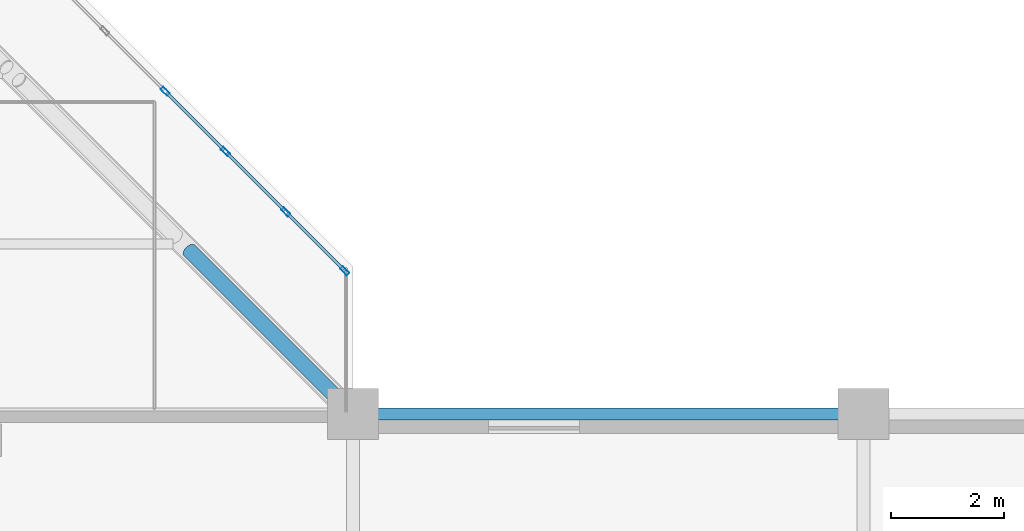
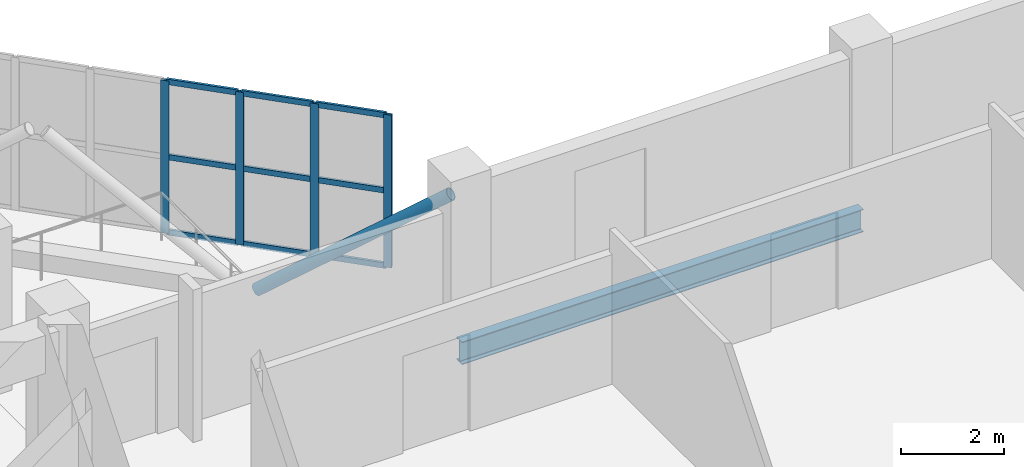
# One storey, part 2 of 9: 14 members, 1 beam, 1 element without a shape of its own.
"""IFC4 building model written with IfcOpenShell, lengths in metres."""

import ifcopenshell
import ifcopenshell.guid

model = None  # the IFC model being written
_history = None  # IfcOwnerHistory: only IFC2X3 demands one
_inside = {}  # id of a spatial element -> (the spatial element, [elements in it])
_under = {}  # id of a project, library or spatial element -> (it, [spatial elements below it])
_declared = {}  # id of a project -> (the project, [libraries it declares])
_typed = {}  # id of a type object -> (the type object, [elements of that type])
_made_of = {}  # id of a material, layer set ... -> (it, [elements and type objects made of it])


def new_model(schema):
    """Start an empty IFC model of exactly this schema.

    Asked for "IFC4X3", IfcOpenShell would pick the latest addendum, in which some entities
    have other attributes; the version numbers below select the first issue.
    IFC2X3 requires an IfcOwnerHistory on every rooted entity: one is made here for all.
    """
    global model, _history
    if schema == "IFC4X3":
        model = ifcopenshell.file(schema_version=(4, 3, 0, 0))
    else:
        model = ifcopenshell.file(schema=schema)
    _inside.clear()
    _under.clear()
    _declared.clear()
    _typed.clear()
    _made_of.clear()
    _history = None
    if model.schema == "IFC2X3":
        org = make("IfcOrganization", Name="unknown")
        user = make(
            "IfcPersonAndOrganization",
            ThePerson=make("IfcPerson", FamilyName="unknown"),
            TheOrganization=org,
        )
        app = make(
            "IfcApplication",
            ApplicationDeveloper=org,
            Version="unknown",
            ApplicationFullName="unknown",
            ApplicationIdentifier="unknown",
        )
        _history = make(
            "IfcOwnerHistory",
            OwningUser=user,
            OwningApplication=app,
            ChangeAction="ADDED",
            CreationDate=0,
        )
    return model


def make(cls, **values):
    """One entity of the class cls with the attributes given. An attribute that is None is left unset."""
    return model.create_entity(
        cls, **{name: value for name, value in values.items() if value is not None}
    )


def rooted(cls, **values):
    """An entity with a GlobalId (a new one), such as an element, a storey or a relation."""
    return make(cls, GlobalId=ifcopenshell.guid.new(), OwnerHistory=_history, **values)


def si_unit(unit_type, name, prefix=None):
    """IfcSIUnit, for example si_unit("LENGTHUNIT", "METRE", prefix="MILLI")."""
    return make("IfcSIUnit", UnitType=unit_type, Prefix=prefix, Name=name)


def assignment(units):
    """IfcUnitAssignment: the units of a project."""
    return None if units is None else make("IfcUnitAssignment", Units=units)


def point(xyz):
    """IfcCartesianPoint."""
    return None if xyz is None else make("IfcCartesianPoint", Coordinates=xyz)


def direction(xyz):
    """IfcDirection."""
    return None if xyz is None else make("IfcDirection", DirectionRatios=xyz)


def frame(location, z_axis=None, x_axis=None):
    """IfcAxis2Placement3D, a coordinate frame: its origin and axes. An axis left out is left unset."""
    return make(
        "IfcAxis2Placement3D",
        Location=point(location),
        Axis=direction(z_axis),
        RefDirection=direction(x_axis),
    )


def frame_2d(location, x_axis=None):
    """IfcAxis2Placement2D, a coordinate frame in the plane: its origin and x axis."""
    return make(
        "IfcAxis2Placement2D", Location=point(location), RefDirection=direction(x_axis)
    )


def origin():
    """The frame at (0, 0, 0) with its axes left unset."""
    return frame((0.0, 0.0, 0.0))


def origin_2d():
    """The frame at (0, 0) in the plane with its x axis left unset."""
    return frame_2d((0.0, 0.0))


def place(relative_to, where):
    """IfcLocalPlacement: puts the frame where relative to a parent placement (None: the world)."""
    return make(
        "IfcLocalPlacement", PlacementRelTo=relative_to, RelativePlacement=where
    )


def context(
    kind, dimensions, precision=None, world=None, true_north=None, identifier=None
):
    """IfcGeometricRepresentationContext, for example the 3D "Model" context."""
    return make(
        "IfcGeometricRepresentationContext",
        ContextIdentifier=identifier,
        ContextType=kind,
        CoordinateSpaceDimension=dimensions,
        Precision=precision,
        WorldCoordinateSystem=world,
        TrueNorth=true_north,
    )


def subcontext(parent, identifier, kind, view, scale=None):
    """IfcGeometricRepresentationSubContext, for example "Body" below "Model"."""
    return make(
        "IfcGeometricRepresentationSubContext",
        ContextIdentifier=identifier,
        ContextType=kind,
        ParentContext=parent,
        TargetScale=scale,
        TargetView=view,
    )


def project(units=None, contexts=None):
    """IfcProject with its units and contexts."""
    return rooted(
        "IfcProject",
        Name="project",
        RepresentationContexts=contexts,
        UnitsInContext=assignment(units),
    )


def spatial(cls, under=None, at=None, **own):
    """A site, building, storey or space (cls), placed at a placement, below another one or the project."""
    s = rooted(cls, ObjectPlacement=at, **own)
    if under is not None:
        _under.setdefault(under.id(), (under, []))[1].append(s)
    return s


def profile(cls, at=None, kind="AREA", **sizes):
    """A parametric profile (cls). Its sizes go by their IFC names, for example OverallWidth=200.0."""
    return make(cls, ProfileType=kind, Position=at, **sizes)


def hollow_rectangle(**sizes):
    """IfcRectangleHollowProfileDef."""
    return profile("IfcRectangleHollowProfileDef", **sizes)


def hollow_circle(**sizes):
    """IfcCircleHollowProfileDef."""
    return profile("IfcCircleHollowProfileDef", **sizes)


def i_section(**sizes):
    """IfcIShapeProfileDef."""
    return profile("IfcIShapeProfileDef", **sizes)


def extrude(swept, where, along, depth):
    """IfcExtrudedAreaSolid: the profile swept, set in the frame where, extruded along a direction by depth."""
    return make(
        "IfcExtrudedAreaSolid",
        SweptArea=swept,
        Position=where,
        ExtrudedDirection=direction(along),
        Depth=depth,
    )


def shape(context_of_items, identifier, shape_type, items):
    """IfcShapeRepresentation: the items that make up one representation, for example the "Body"."""
    return make(
        "IfcShapeRepresentation",
        ContextOfItems=context_of_items,
        RepresentationIdentifier=identifier,
        RepresentationType=shape_type,
        Items=items,
    )


def material(Name=None, Category=None):
    """IfcMaterial."""
    return make("IfcMaterial", Name=Name, Category=Category)


def layer(
    of_material, thickness, ventilated=None, Name=None, Category=None, Priority=None
):
    """IfcMaterialLayer: one layer of a wall or slab, of a material (None: an air gap)."""
    return make(
        "IfcMaterialLayer",
        Material=of_material,
        LayerThickness=thickness,
        IsVentilated=ventilated,
        Name=Name,
        Category=Category,
        Priority=Priority,
    )


def layer_set(layers, Name=None):
    """IfcMaterialLayerSet."""
    return make("IfcMaterialLayerSet", MaterialLayers=layers, LayerSetName=Name)


def material_profile(
    of_material, cross_section, Name=None, Category=None, Priority=None
):
    """IfcMaterialProfile: a cross section and its material."""
    return make(
        "IfcMaterialProfile",
        Name=Name,
        Material=of_material,
        Profile=cross_section,
        Priority=Priority,
        Category=Category,
    )


def profile_set(profiles, Name=None, composite=None):
    """IfcMaterialProfileSet."""
    return make(
        "IfcMaterialProfileSet",
        Name=Name,
        MaterialProfiles=profiles,
        CompositeProfile=composite,
    )


def made_of(thing, what):
    """Note that an element or type object is made of a material, layer set ...; save() writes the relation."""
    if what is not None:
        _made_of.setdefault(what.id(), (what, []))[1].append(thing)
    return thing


def type_object(cls, material=None, **own):
    """A type object (cls), such as IfcWallType, which elements share."""
    return made_of(rooted(cls, **own), material)


def element(
    cls,
    number,
    at=None,
    inside=None,
    cuts=None,
    type_object=None,
    material=None,
    context=None,
    identifier="Body",
    shape_type=None,
    held_by="IfcProductDefinitionShape",
    body=None,
    shapes=None,
    **own,
):
    """One element of the class cls, such as IfcWall. Its Tag is "e" and its number.

    at: its placement. inside: the storey or other place that contains it. cuts: it is an
    opening in that element (IfcRelVoidsElement). A single representation is given by context,
    identifier, shape_type and body (its items); several are given by shapes. held_by: the class
    of the entity that holds the representations. save() writes the other relations.
    """
    e = rooted(cls, Tag="e%d" % number, ObjectPlacement=at, **own)
    if body is not None:
        shapes = [shape(context, identifier, shape_type, body)]
    if shapes is not None:
        e.Representation = make(held_by, Representations=shapes)
    if inside is not None:
        _inside.setdefault(inside.id(), (inside, []))[1].append(e)
    if cuts is not None:
        rooted(
            "IfcRelVoidsElement", RelatingBuildingElement=cuts, RelatedOpeningElement=e
        )
    if type_object is not None:
        _typed.setdefault(type_object.id(), (type_object, []))[1].append(e)
    return made_of(e, material)


def aggregate(whole, parts):
    """IfcRelAggregates: a whole, such as a stair, and the parts it consists of."""
    return rooted("IfcRelAggregates", RelatingObject=whole, RelatedObjects=parts)


def save(model, path):
    """Write the relations noted so far, then the file.

    IfcRelAggregates (storeys below a building ...), IfcRelContainedInSpatialStructure (elements
    in a storey), IfcRelDefinesByType, IfcRelAssociatesMaterial and IfcRelDeclares: one each for
    every whole, place, type object, material and project.
    """
    for whole, parts in _under.values():
        aggregate(whole, parts)
    for where, things in _inside.values():
        rooted(
            "IfcRelContainedInSpatialStructure",
            RelatedElements=things,
            RelatingStructure=where,
        )
    for kind, things in _typed.values():
        rooted("IfcRelDefinesByType", RelatedObjects=things, RelatingType=kind)
    for what, things in _made_of.values():
        rooted("IfcRelAssociatesMaterial", RelatedObjects=things, RelatingMaterial=what)
    for by, libraries in _declared.values():
        rooted("IfcRelDeclares", RelatingContext=by, RelatedDefinitions=libraries)
    model.write(path)


model = new_model("IFC4")

# Units and contexts
model_context = context("Model", 3, precision=1e-05, world=origin(), true_north=direction((0.0, 1.0)))
body_context = subcontext(model_context, "Body", "Model", "MODEL_VIEW")
ifc_project = project(units=[si_unit("LENGTHUNIT", "METRE"), si_unit("AREAUNIT", "SQUARE_METRE"), si_unit("VOLUMEUNIT", "CUBIC_METRE"), si_unit("PLANEANGLEUNIT", "RADIAN"), si_unit("MASSUNIT", "GRAM", prefix="KILO")], contexts=[model_context])

# Site, building, storey
site_placement = place(None, origin())
site = spatial("IfcSite", under=ifc_project, at=site_placement, CompositionType="ELEMENT")
building_placement = place(site_placement, origin())
building = spatial("IfcBuilding", under=site, at=building_placement, Name="Mawjdan Bourse Tower", CompositionType="ELEMENT")
storey_placement = place(building_placement, frame((0.0, 0.0, 222.89990234375)))
storey = spatial("IfcBuildingStorey", under=building, at=storey_placement, Name="L54", CompositionType="ELEMENT", Elevation=222.89990234375)

# Member
ifc_material_1 = material(Name="Structural Steel S355", Category="steel")
ifc_material_profile_1 = material_profile(ifc_material_1, hollow_circle(Radius=0.136474609375, WallThickness=0.012451171875, at=origin_2d()), Name="CHS273X12.5")
ifc_profile_set_1 = profile_set([ifc_material_profile_1], Name="Structural Steel S355")
member_type_1 = type_object("IfcMemberType", Name="BRC-CHS273X12.5", PredefinedType="BRACE", material=ifc_profile_set_1)
member_1_placement = place(storey_placement, frame((30.1201171875, 23.8798828125, 0.2001953125), z_axis=(0.562709851517, -0.562709851517, 0.605570182564), x_axis=(0.707106781187, 0.707106781187, 0.0)))
element("IfcMember", 1, at=member_1_placement, inside=storey, type_object=member_type_1, Name="L54 Atrium Sky Bridge Truss Diagonal 3", PredefinedType="BRACE", context=body_context, shape_type="SweptSolid", body=[
    extrude(hollow_circle(Radius=0.136474609375, WallThickness=0.012451171875, at=origin_2d()), origin(), (0.0, 0.0, 1.0), 4.904541015625),
])

# Curtain wall, members
ifc_material_2 = material(Name="Thermally Broken Aluminium and Solar Glass", Category="aluminium")
ifc_layer = layer(ifc_material_2, 0.219970703125)
ifc_layer_set = layer_set([ifc_layer], Name="Thermally Broken Aluminium and Solar Glass")
curtain_wall_type = type_object("IfcCurtainWallType", Name="CW-BRG", PredefinedType="USERDEFINED", material=ifc_layer_set)
curtain_wall_placement = place(storey_placement, origin())
curtain_wall = element("IfcCurtainWall", 2, at=curtain_wall_placement, inside=storey, type_object=curtain_wall_type, Name="L54 Atrium Sky Bridge Diagonal Curtain Wall", ObjectType="SKY BRIDGE CURTAIN WALL", PredefinedType="USERDEFINED")
ifc_material_3 = material(Name="Thermally Broken Anodised Aluminium", Category="aluminium")
ifc_material_profile_2 = material_profile(ifc_material_3, hollow_rectangle(XDim=0.06494140625, YDim=0.1650390625, WallThickness=0.00390625, at=origin_2d()), Name="ALU-MUL-165X65")
ifc_profile_set_2 = profile_set([ifc_material_profile_2], Name="Thermally Broken Anodised Aluminium")
member_type_2 = type_object("IfcMemberType", Name="MUL-ALU-MUL-165X65", PredefinedType="MULLION", material=ifc_profile_set_2)
member_2_placement = place(storey_placement, frame((32.85693359375, 23.52294921875, 0.0), z_axis=(0.0, 0.0, 1.0), x_axis=(-0.707106781187, -0.707106781187, 0.0)))
member_2 = element("IfcMember", 3, at=member_2_placement, type_object=member_type_2, Name="CW-BRG-L54-BRG-DIAG mullion 1", PredefinedType="MULLION", context=body_context, shape_type="SweptSolid", body=[
    extrude(hollow_rectangle(XDim=0.06494140625, YDim=0.1650390625, WallThickness=0.00390625, at=origin_2d()), origin(), (0.0, 0.0, 1.0), 3.6201171875),
])
member_3_placement = place(storey_placement, frame((31.816650390625, 24.563232421875, 0.0), z_axis=(0.0, 0.0, 1.0), x_axis=(-0.707106781187, -0.707106781187, 0.0)))
member_3 = element("IfcMember", 4, at=member_3_placement, type_object=member_type_2, Name="CW-BRG-L54-BRG-DIAG mullion 2", PredefinedType="MULLION", context=body_context, shape_type="SweptSolid", body=[
    extrude(hollow_rectangle(XDim=0.06494140625, YDim=0.1650390625, WallThickness=0.00390625, at=origin_2d()), origin(), (0.0, 0.0, 1.0), 3.6201171875),
])
member_4_placement = place(storey_placement, frame((30.75341796875, 25.626708984375, 0.0), z_axis=(0.0, 0.0, 1.0), x_axis=(-0.707106781187, -0.707106781187, 0.0)))
member_4 = element("IfcMember", 5, at=member_4_placement, type_object=member_type_2, Name="CW-BRG-L54-BRG-DIAG mullion 3", PredefinedType="MULLION", context=body_context, shape_type="SweptSolid", body=[
    extrude(hollow_rectangle(XDim=0.06494140625, YDim=0.1650390625, WallThickness=0.00390625, at=origin_2d()), origin(), (0.0, 0.0, 1.0), 3.6201171875),
])
member_5_placement = place(storey_placement, frame((29.68994140625, 26.68994140625, 0.0), z_axis=(0.0, 0.0, 1.0), x_axis=(-0.707106781187, -0.707106781187, 0.0)))
member_5 = element("IfcMember", 6, at=member_5_placement, type_object=member_type_2, Name="CW-BRG-L54-BRG-DIAG mullion 4", PredefinedType="MULLION", context=body_context, shape_type="SweptSolid", body=[
    extrude(hollow_rectangle(XDim=0.06494140625, YDim=0.1650390625, WallThickness=0.00390625, at=origin_2d()), origin(), (0.0, 0.0, 1.0), 3.6201171875),
])

# Beam
ifc_material_profile_3 = material_profile(ifc_material_1, i_section(OverallWidth=0.2099609375, OverallDepth=0.537109375, WebThickness=0.010986328125, FlangeThickness=0.017333984375, FilletRadius=0.013916015625, at=origin_2d()), Name="W21X68")
ifc_profile_set_3 = profile_set([ifc_material_profile_3], Name="Structural Steel S355")
beam_type = type_object("IfcBeamType", Name="SPN-W21X68", PredefinedType="SPANDREL", material=ifc_profile_set_3)
beam_placement = place(storey_placement, frame((33.0, 21.0, -0.518310546875), z_axis=(1.0, 0.0, 0.0), x_axis=(0.0, 1.0, 0.0)))
element("IfcBeam", 7, at=beam_placement, inside=storey, type_object=beam_type, Name="L54 Sky Bridge Interface Spandrel 013", PredefinedType="SPANDREL", context=body_context, shape_type="SweptSolid", body=[
    extrude(i_section(OverallWidth=0.2099609375, OverallDepth=0.537109375, WebThickness=0.010986328125, FlangeThickness=0.017333984375, FilletRadius=0.013916015625, at=origin_2d()), origin(), (0.0, 0.0, 1.0), 9.0),
])

# Member
ifc_material_profile_4 = material_profile(ifc_material_3, hollow_rectangle(XDim=0.054931640625, YDim=0.1298828125, WallThickness=0.00341796875, at=origin_2d()), Name="ALU-TRN-130X55")
ifc_profile_set_4 = profile_set([ifc_material_profile_4], Name="Thermally Broken Anodised Aluminium")
member_type_3 = type_object("IfcMemberType", Name="TRN-ALU-TRN-130X55", PredefinedType="USERDEFINED", material=ifc_profile_set_4)
member_6_placement = place(storey_placement, frame((32.833984375, 23.5458984375, 0.027587890625), z_axis=(-0.707106781187, 0.707106781187, 0.0), x_axis=(-0.707106781187, -0.707106781187, 0.0)))
member_6 = element("IfcMember", 8, at=member_6_placement, type_object=member_type_3, Name="CW-BRG-L54-BRG-DIAG transom 1.1", ObjectType="TRANSOM", PredefinedType="USERDEFINED", context=body_context, shape_type="SweptSolid", body=[
    extrude(hollow_rectangle(XDim=0.054931640625, YDim=0.1298828125, WallThickness=0.00341796875, at=origin_2d()), origin(), (0.0, 0.0, 1.0), 1.40625),
])

member_7_placement = place(storey_placement, frame((32.833984375, 23.5458984375, 1.81005859375), z_axis=(-0.707106781187, 0.707106781187, 0.0), x_axis=(-0.707106781187, -0.707106781187, 0.0)))
member_7 = element("IfcMember", 9, at=member_7_placement, type_object=member_type_3, Name="CW-BRG-L54-BRG-DIAG transom 1.2", ObjectType="TRANSOM", PredefinedType="USERDEFINED", context=body_context, shape_type="SweptSolid", body=[
    extrude(hollow_rectangle(XDim=0.054931640625, YDim=0.1298828125, WallThickness=0.00341796875, at=origin_2d()), origin(), (0.0, 0.0, 1.0), 1.40625),
])

member_8_placement = place(storey_placement, frame((32.833984375, 23.5458984375, 3.592529296875), z_axis=(-0.707106781187, 0.707106781187, 0.0), x_axis=(-0.707106781187, -0.707106781187, 0.0)))
member_8 = element("IfcMember", 10, at=member_8_placement, type_object=member_type_3, Name="CW-BRG-L54-BRG-DIAG transom 1.3", ObjectType="TRANSOM", PredefinedType="USERDEFINED", context=body_context, shape_type="SweptSolid", body=[
    extrude(hollow_rectangle(XDim=0.054931640625, YDim=0.1298828125, WallThickness=0.00341796875, at=origin_2d()), origin(), (0.0, 0.0, 1.0), 1.40625),
])

member_9_placement = place(storey_placement, frame((31.793701171875, 24.58642578125, 0.027587890625), z_axis=(-0.707106781187, 0.707106781187, 0.0), x_axis=(-0.707106781187, -0.707106781187, 0.0)))
member_9 = element("IfcMember", 11, at=member_9_placement, type_object=member_type_3, Name="CW-BRG-L54-BRG-DIAG transom 2.1", ObjectType="TRANSOM", PredefinedType="USERDEFINED", context=body_context, shape_type="SweptSolid", body=[
    extrude(hollow_rectangle(XDim=0.054931640625, YDim=0.1298828125, WallThickness=0.00341796875, at=origin_2d()), origin(), (0.0, 0.0, 1.0), 1.438720703125),
])

member_10_placement = place(storey_placement, frame((31.793701171875, 24.58642578125, 1.81005859375), z_axis=(-0.707106781187, 0.707106781187, 0.0), x_axis=(-0.707106781187, -0.707106781187, 0.0)))
member_10 = element("IfcMember", 12, at=member_10_placement, type_object=member_type_3, Name="CW-BRG-L54-BRG-DIAG transom 2.2", ObjectType="TRANSOM", PredefinedType="USERDEFINED", context=body_context, shape_type="SweptSolid", body=[
    extrude(hollow_rectangle(XDim=0.054931640625, YDim=0.1298828125, WallThickness=0.00341796875, at=origin_2d()), origin(), (0.0, 0.0, 1.0), 1.438720703125),
])

member_11_placement = place(storey_placement, frame((31.793701171875, 24.58642578125, 3.592529296875), z_axis=(-0.707106781187, 0.707106781187, 0.0), x_axis=(-0.707106781187, -0.707106781187, 0.0)))
member_11 = element("IfcMember", 13, at=member_11_placement, type_object=member_type_3, Name="CW-BRG-L54-BRG-DIAG transom 2.3", ObjectType="TRANSOM", PredefinedType="USERDEFINED", context=body_context, shape_type="SweptSolid", body=[
    extrude(hollow_rectangle(XDim=0.054931640625, YDim=0.1298828125, WallThickness=0.00341796875, at=origin_2d()), origin(), (0.0, 0.0, 1.0), 1.438720703125),
])

member_12_placement = place(storey_placement, frame((30.73046875, 25.649658203125, 0.027587890625), z_axis=(-0.707191611943, 0.707021940251, 0.0), x_axis=(-0.707021940251, -0.707191611943, 0.0)))
member_12 = element("IfcMember", 14, at=member_12_placement, type_object=member_type_3, Name="CW-BRG-L54-BRG-DIAG transom 3.1", ObjectType="TRANSOM", PredefinedType="USERDEFINED", context=body_context, shape_type="SweptSolid", body=[
    extrude(hollow_rectangle(XDim=0.054931640625, YDim=0.1298828125, WallThickness=0.00341796875, at=origin_2d()), origin(), (0.0, 0.0, 1.0), 1.43896484375),
])

member_13_placement = place(storey_placement, frame((30.73046875, 25.649658203125, 1.81005859375), z_axis=(-0.707191611943, 0.707021940251, 0.0), x_axis=(-0.707021940251, -0.707191611943, 0.0)))
member_13 = element("IfcMember", 15, at=member_13_placement, type_object=member_type_3, Name="CW-BRG-L54-BRG-DIAG transom 3.2", ObjectType="TRANSOM", PredefinedType="USERDEFINED", context=body_context, shape_type="SweptSolid", body=[
    extrude(hollow_rectangle(XDim=0.054931640625, YDim=0.1298828125, WallThickness=0.00341796875, at=origin_2d()), origin(), (0.0, 0.0, 1.0), 1.43896484375),
])

member_14_placement = place(storey_placement, frame((30.73046875, 25.649658203125, 3.592529296875), z_axis=(-0.707191611943, 0.707021940251, 0.0), x_axis=(-0.707021940251, -0.707191611943, 0.0)))
member_14 = element("IfcMember", 16, at=member_14_placement, type_object=member_type_3, Name="CW-BRG-L54-BRG-DIAG transom 3.3", ObjectType="TRANSOM", PredefinedType="USERDEFINED", context=body_context, shape_type="SweptSolid", body=[
    extrude(hollow_rectangle(XDim=0.054931640625, YDim=0.1298828125, WallThickness=0.00341796875, at=origin_2d()), origin(), (0.0, 0.0, 1.0), 1.43896484375),
])

aggregate(curtain_wall, [member_2, member_3, member_4, member_5, member_6, member_7, member_8, member_9, member_10, member_11, member_12, member_13, member_14])

save(model, "model.ifc")
